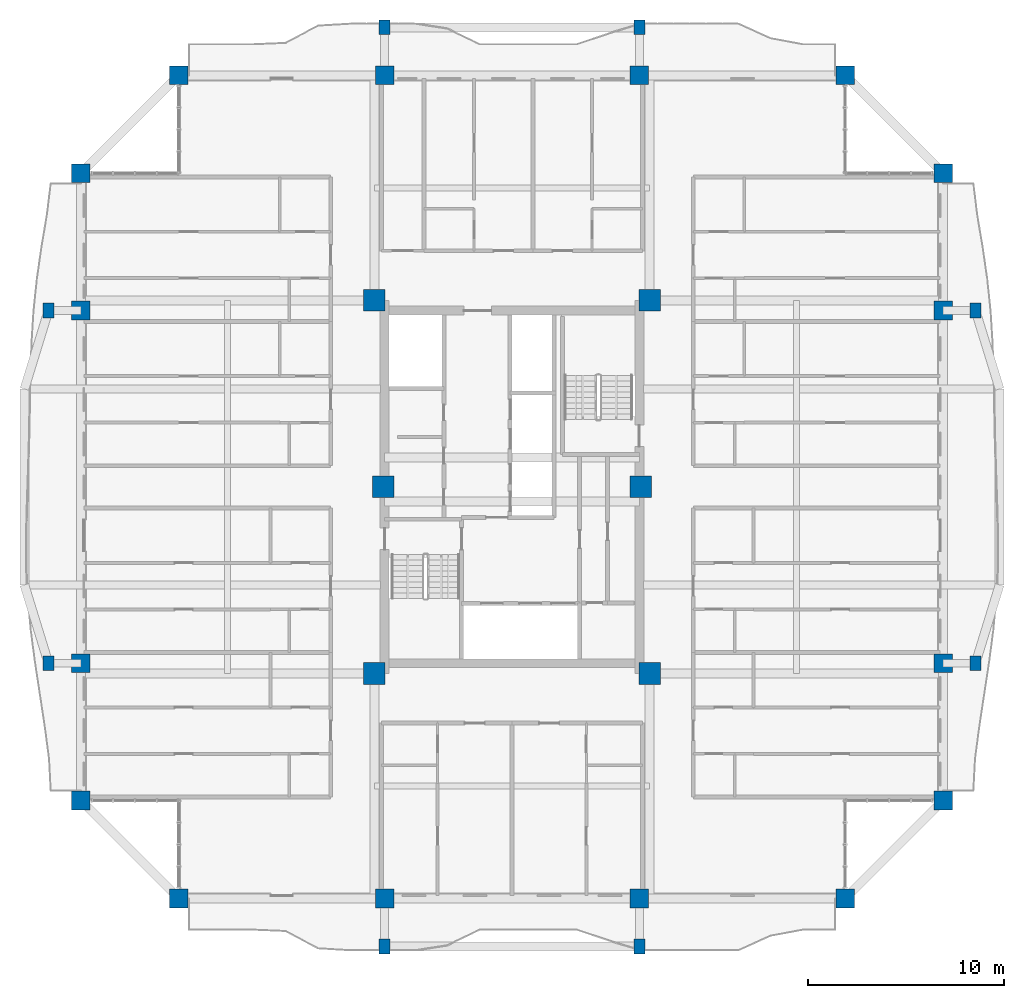
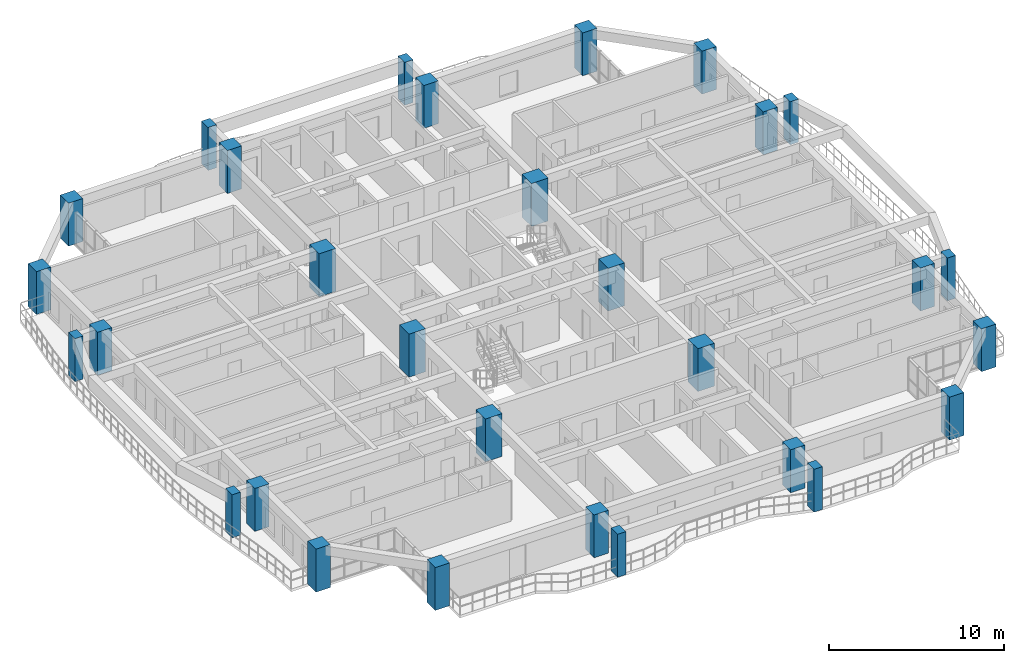
# One storey, part 1 of 23: 30 columns.
"""IFC4 building model written with IfcOpenShell, lengths in metres."""

from ifc_helpers import new_model, si_unit, direction, frame, origin, origin_2d, place, context, subcontext, project, spatial, rectangle, extrude, source, transform, mapped, material, material_profile, profile_set, type_object, element, save


model = new_model("IFC4")

# Units and contexts
model_context = context("Model", 3, precision=1e-05, world=origin(), true_north=direction((0.0, 1.0)))
body_context = subcontext(model_context, "Body", "Model", "MODEL_VIEW")
ifc_project = project(units=[si_unit("LENGTHUNIT", "METRE"), si_unit("AREAUNIT", "SQUARE_METRE"), si_unit("VOLUMEUNIT", "CUBIC_METRE"), si_unit("PLANEANGLEUNIT", "RADIAN"), si_unit("MASSUNIT", "GRAM", prefix="KILO")], contexts=[model_context])

# Site, building, storey
site_placement = place(None, origin())
site = spatial("IfcSite", under=ifc_project, at=site_placement, CompositionType="ELEMENT")
building_placement = place(site_placement, origin())
building = spatial("IfcBuilding", under=site, at=building_placement, Name="Saelheon Loggia Tower", CompositionType="ELEMENT")
storey_placement = place(building_placement, frame((0.0, 0.0, 156.10009765625)))
storey = spatial("IfcBuildingStorey", under=building, at=storey_placement, Name="L49", CompositionType="ELEMENT", Elevation=156.10009765625)

# Columns
ifc_material_1 = material(Name="Concrete C50/60", Category="concrete")
ifc_material_profile_1 = material_profile(ifc_material_1, rectangle(XDim=1.10009765625, YDim=1.10009765625, at=origin_2d()), Name="RC-1100x1100")
ifc_profile_set_1 = profile_set([ifc_material_profile_1], Name="Concrete C50/60")
column_type_1 = type_object("IfcColumnType", Name="Col_Core_RC1100", PredefinedType="COLUMN", material=ifc_profile_set_1)
shared_shape_1 = source(origin(), body_context, "Body", "SweptSolid", [
    extrude(rectangle(XDim=1.10009765625, YDim=1.10009765625, at=origin_2d()), origin(), (0.0, 0.0, 1.0), 3.0),
])
for number, where, z_axis, x_axis, name in (
    (1, (30.97998046875, 17.47998046875, 0.0), (0.0, 0.0, 1.0), (1.0, 0.0, 0.0), "L49 Core Column CR-SW"),
    (2, (45.02001953125, 17.47998046875, 0.0), (0.0, 0.0, 1.0), (1.0, 0.0, 0.0), "L49 Core Column CR-SE"),
    (3, (30.97998046875, 36.52001953125, 0.0), (0.0, 0.0, 1.0), (1.0, 0.0, 0.0), "L49 Core Column CR-NW"),
    (4, (45.02001953125, 36.52001953125, 0.0), (0.0, 0.0, 1.0), (1.0, 0.0, 0.0), "L49 Core Column CR-NE"),
    (5, (31.419921875, 27.0, 0.0), (0.0, 0.0, 1.0), (1.0, 0.0, 0.0), "L49 Core Column CR-MW"),
    (6, (44.580078125, 27.0, 0.0), (0.0, 0.0, 1.0), (1.0, 0.0, 0.0), "L49 Core Column CR-ME"),
):
    element("IfcColumn", number, at=place(storey_placement, frame(where, z_axis=z_axis, x_axis=x_axis)), inside=storey, type_object=column_type_1, Name=name, PredefinedType="COLUMN", context=body_context, shape_type="MappedRepresentation", body=[
        mapped(shared_shape_1, transform((0.0, 0.0, 0.0), scale=1.0)),
    ])
ifc_material_2 = material(Name="Precast Concrete C45/55", Category="concrete")
ifc_material_profile_2 = material_profile(ifc_material_2, rectangle(XDim=0.550048828125, YDim=0.75, at=origin_2d()), Name="RC-550x750")
ifc_profile_set_2 = profile_set([ifc_material_profile_2], Name="Precast Concrete C45/55")
column_type_2 = type_object("IfcColumnType", Name="Col_Loggia_Pilaster_750", PredefinedType="PILASTER", material=ifc_profile_set_2)
shared_shape_2 = source(origin(), body_context, "Body", "SweptSolid", [
    extrude(rectangle(XDim=0.550048828125, YDim=0.75, at=origin_2d()), origin(), (0.0, 0.0, 1.0), 3.0),
])
for number, where, z_axis, x_axis, name in (
    (7, (31.5, 3.550048828125, 0.0), (0.0, 0.0, 1.0), (1.0, 0.0, 0.0), "L49 Loggia Frame Pilaster LP-S1"),
    (8, (44.5, 3.550048828125, 0.0), (0.0, 0.0, 1.0), (1.0, 0.0, 0.0), "L49 Loggia Frame Pilaster LP-S2"),
    (9, (31.5, 50.449951171875, 0.0), (0.0, 0.0, 1.0), (1.0, 0.0, 0.0), "L49 Loggia Frame Pilaster LP-N1"),
    (10, (44.5, 50.449951171875, 0.0), (0.0, 0.0, 1.0), (1.0, 0.0, 0.0), "L49 Loggia Frame Pilaster LP-N2"),
    (11, (61.64990234375, 18.0, 0.0), (0.0, 0.0, 1.0), (1.0, 0.0, 0.0), "L49 Loggia Frame Pilaster LP-E1"),
    (12, (61.64990234375, 36.0, 0.0), (0.0, 0.0, 1.0), (1.0, 0.0, 0.0), "L49 Loggia Frame Pilaster LP-E2"),
    (13, (14.35009765625, 18.0, 0.0), (0.0, 0.0, 1.0), (1.0, 0.0, 0.0), "L49 Loggia Frame Pilaster LP-W1"),
    (14, (14.35009765625, 36.0, 0.0), (0.0, 0.0, 1.0), (1.0, 0.0, 0.0), "L49 Loggia Frame Pilaster LP-W2"),
):
    element("IfcColumn", number, at=place(storey_placement, frame(where, z_axis=z_axis, x_axis=x_axis)), inside=storey, type_object=column_type_2, Name=name, PredefinedType="PILASTER", context=body_context, shape_type="MappedRepresentation", body=[
        mapped(shared_shape_2, transform((0.0, 0.0, 0.0), scale=1.0)),
    ])
ifc_material_profile_3 = material_profile(ifc_material_1, rectangle(XDim=0.949951171875, YDim=0.949951171875, at=origin_2d()), Name="RC-950x950")
ifc_profile_set_3 = profile_set([ifc_material_profile_3], Name="Concrete C50/60")
column_type_3 = type_object("IfcColumnType", Name="Col_Perim_RC950", PredefinedType="COLUMN", material=ifc_profile_set_3)
shared_shape_3 = source(origin(), body_context, "Body", "SweptSolid", [
    extrude(rectangle(XDim=0.949951171875, YDim=0.949951171875, at=origin_2d()), origin(), (0.0, 0.0, 1.0), 3.0),
])
for number, where, z_axis, x_axis, name in (
    (15, (21.0, 6.0, 0.0), (0.0, 0.0, 1.0), (1.0, 0.0, 0.0), "L49 Perimeter Column TP-S1"),
    (16, (31.5, 6.0, 0.0), (0.0, 0.0, 1.0), (1.0, 0.0, 0.0), "L49 Perimeter Column TP-SA"),
    (17, (44.5, 6.0, 0.0), (0.0, 0.0, 1.0), (1.0, 0.0, 0.0), "L49 Perimeter Column TP-SB"),
    (18, (55.0, 6.0, 0.0), (0.0, 0.0, 1.0), (1.0, 0.0, 0.0), "L49 Perimeter Column TP-S2"),
    (19, (60.0, 11.0, 0.0), (0.0, 0.0, 1.0), (1.0, 0.0, 0.0), "L49 Perimeter Column TP-E1"),
    (20, (60.0, 18.0, 0.0), (0.0, 0.0, 1.0), (1.0, 0.0, 0.0), "L49 Perimeter Column TP-EA"),
    (21, (60.0, 36.0, 0.0), (0.0, 0.0, 1.0), (1.0, 0.0, 0.0), "L49 Perimeter Column TP-EB"),
    (22, (60.0, 43.0, 0.0), (0.0, 0.0, 1.0), (1.0, 0.0, 0.0), "L49 Perimeter Column TP-E2"),
    (23, (55.0, 48.0, 0.0), (0.0, 0.0, 1.0), (1.0, 0.0, 0.0), "L49 Perimeter Column TP-N2"),
    (24, (44.5, 48.0, 0.0), (0.0, 0.0, 1.0), (1.0, 0.0, 0.0), "L49 Perimeter Column TP-NB"),
    (25, (31.5, 48.0, 0.0), (0.0, 0.0, 1.0), (1.0, 0.0, 0.0), "L49 Perimeter Column TP-NA"),
    (26, (21.0, 48.0, 0.0), (0.0, 0.0, 1.0), (1.0, 0.0, 0.0), "L49 Perimeter Column TP-N1"),
    (27, (16.0, 43.0, 0.0), (0.0, 0.0, 1.0), (1.0, 0.0, 0.0), "L49 Perimeter Column TP-W2"),
    (28, (16.0, 36.0, 0.0), (0.0, 0.0, 1.0), (1.0, 0.0, 0.0), "L49 Perimeter Column TP-WB"),
    (29, (16.0, 18.0, 0.0), (0.0, 0.0, 1.0), (1.0, 0.0, 0.0), "L49 Perimeter Column TP-WA"),
    (30, (16.0, 11.0, 0.0), (0.0, 0.0, 1.0), (1.0, 0.0, 0.0), "L49 Perimeter Column TP-W1"),
):
    element("IfcColumn", number, at=place(storey_placement, frame(where, z_axis=z_axis, x_axis=x_axis)), inside=storey, type_object=column_type_3, Name=name, PredefinedType="COLUMN", context=body_context, shape_type="MappedRepresentation", body=[
        mapped(shared_shape_3, transform((0.0, 0.0, 0.0), scale=1.0)),
    ])

save(model, "model.ifc")
